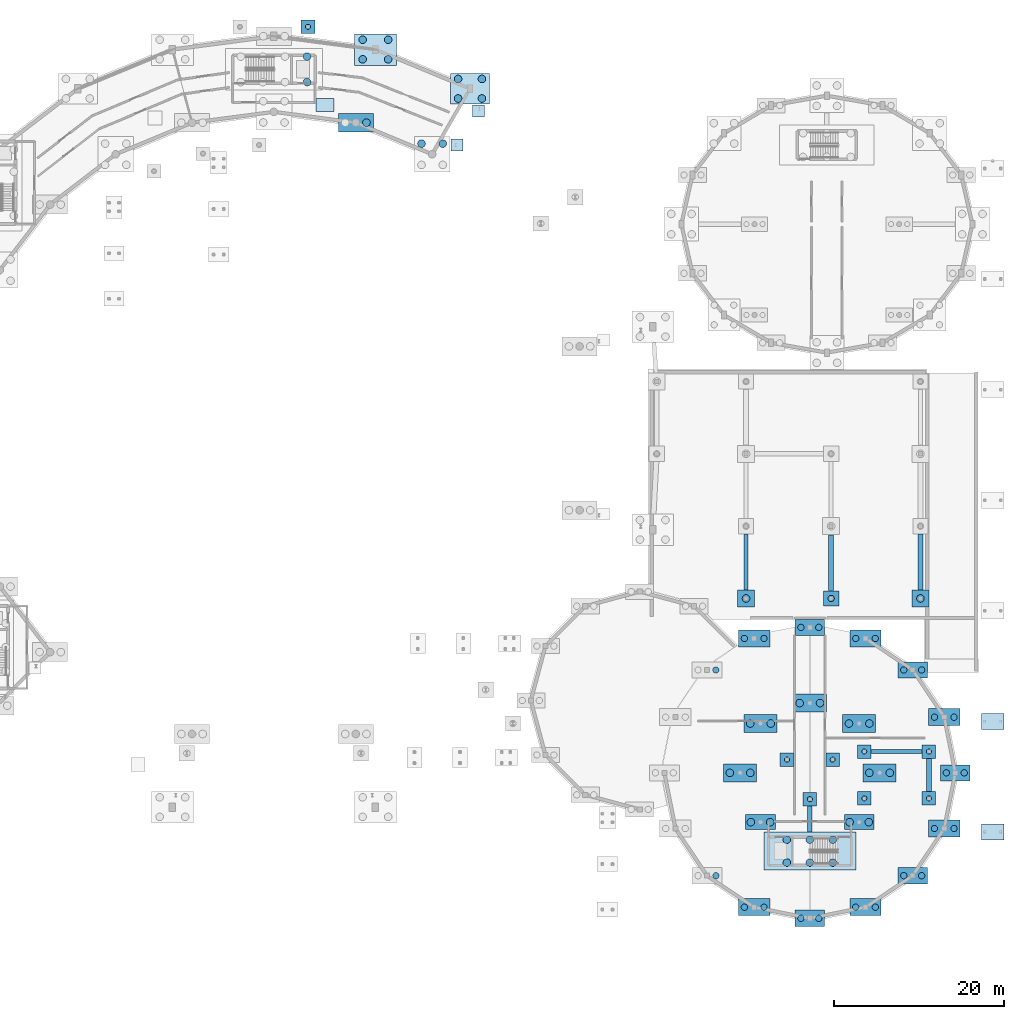
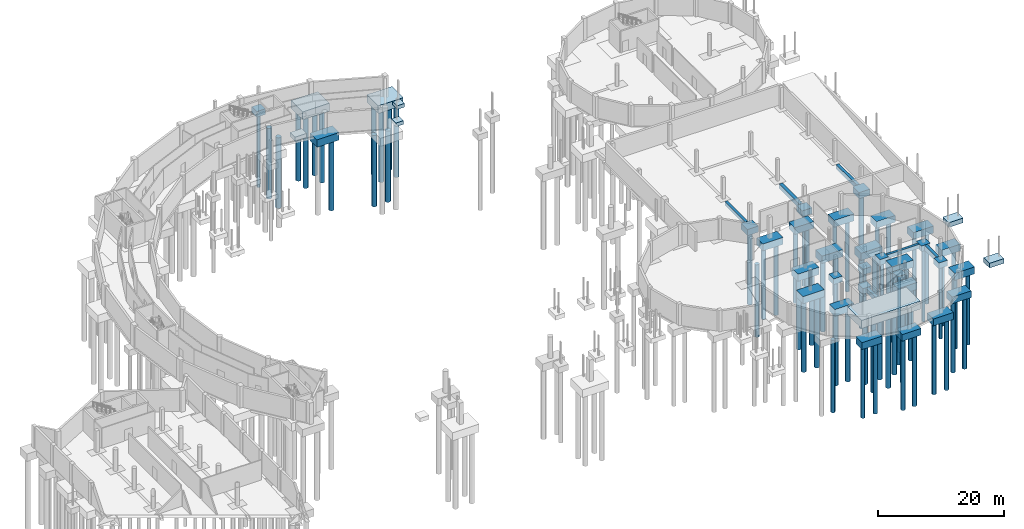
# One storey, part 4 of 43: 68 piles, 44 footings.
"""IFC4 building model written with IfcOpenShell, lengths in metres."""

from ifc_helpers import new_model, si_unit, direction, frame, origin, origin_2d, place, context, subcontext, project, spatial, rectangle, circle, extrude, material, material_profile, profile_set, type_object, element, save


model = new_model("IFC4")

# Units and contexts
model_context = context("Model", 3, precision=1e-05, world=origin(), true_north=direction((0.0, 1.0)))
body_context = subcontext(model_context, "Body", "Model", "MODEL_VIEW")
ifc_project = project(units=[si_unit("LENGTHUNIT", "METRE"), si_unit("AREAUNIT", "SQUARE_METRE"), si_unit("VOLUMEUNIT", "CUBIC_METRE"), si_unit("PLANEANGLEUNIT", "RADIAN"), si_unit("MASSUNIT", "GRAM", prefix="KILO")], contexts=[model_context])

# Site, building, storey
site_placement = place(None, origin())
site = spatial("IfcSite", under=ifc_project, at=site_placement, CompositionType="ELEMENT")
building_placement = place(site_placement, origin())
building = spatial("IfcBuilding", under=site, at=building_placement, Name="Vespera Passage Community Centre", CompositionType="ELEMENT")
storey_placement = place(building_placement, frame((0.0, 0.0, -4.199951171875)))
storey = spatial("IfcBuildingStorey", under=building, at=storey_placement, Name="B1", CompositionType="ELEMENT", Elevation=-4.199951171875)

# Footings
ifc_material_1 = material(Name="Concrete f'c 35 MPa", Category="concrete")
footing_type_1 = type_object("IfcFootingType", Name="FB-02", PredefinedType="FOOTING_BEAM", material=ifc_material_1)
footing_1_placement = place(storey_placement, frame((141.0, 19.574951171875, -0.85009765625), z_axis=(0.0, 0.0, 1.0), x_axis=(0.0, 1.0, 0.0)))
element("IfcFooting", 1, at=footing_1_placement, inside=storey, type_object=footing_type_1, Name="Void-Formed Grade Beam 2", PredefinedType="FOOTING_BEAM", context=body_context, shape_type="SweptSolid", body=[
    extrude(rectangle(XDim=3.02001953125, YDim=0.550048828125, at=origin_2d()), origin(), (0.0, 0.0, 1.0), 0.85009765625),
])
footing_2_placement = place(storey_placement, frame((154.0, 49.800048828125, -0.85009765625), z_axis=(0.0, 0.0, 1.0), x_axis=(0.0, -1.0, 0.0)))
element("IfcFooting", 2, at=footing_2_placement, inside=storey, type_object=footing_type_1, Name="Void-Formed Grade Beam 26", PredefinedType="FOOTING_BEAM", context=body_context, shape_type="SweptSolid", body=[
    extrude(rectangle(XDim=6.570068359375, YDim=0.550048828125, at=origin_2d()), origin(), (0.0, 0.0, 1.0), 0.85009765625),
])
ifc_material_2 = material(Name="Concrete f'c 35 MPa", Category="concrete")
footing_type_2 = type_object("IfcFootingType", Name="FB-03", PredefinedType="FOOTING_BEAM", material=ifc_material_2)
footing_3_placement = place(storey_placement, frame((155.0, 24.75, -0.89990234375), z_axis=(0.0, 0.0, 1.0), x_axis=(0.0, 1.0, 0.0)))
element("IfcFooting", 3, at=footing_3_placement, inside=storey, type_object=footing_type_2, Name="Void-Formed Grade Beam 15", PredefinedType="FOOTING_BEAM", context=body_context, shape_type="SweptSolid", body=[
    extrude(rectangle(XDim=3.8701171875, YDim=0.60009765625, at=origin_2d()), origin(), (0.0, 0.0, 1.0), 0.89990234375),
])
footing_4_placement = place(storey_placement, frame((143.5, 49.699951171875, -0.89990234375), z_axis=(0.0, 0.0, 1.0), x_axis=(0.0, 1.0, 0.0)))
element("IfcFooting", 4, at=footing_4_placement, inside=storey, type_object=footing_type_2, Name="Void-Formed Grade Beam 23", PredefinedType="FOOTING_BEAM", context=body_context, shape_type="SweptSolid", body=[
    extrude(rectangle(XDim=6.570068359375, YDim=0.60009765625, at=origin_2d()), origin(), (0.0, 0.0, 1.0), 0.89990234375),
])
ifc_material_3 = material(Name="Concrete f'c 35 MPa", Category="concrete")
footing_type_3 = type_object("IfcFootingType", Name="FB-04", PredefinedType="FOOTING_BEAM", material=ifc_material_3)
footing_5_placement = place(storey_placement, frame((151.199951171875, 27.5, -0.75), z_axis=(0.0, 0.0, 1.0), x_axis=(1.0, 0.0, 0.0)))
element("IfcFooting", 5, at=footing_5_placement, inside=storey, type_object=footing_type_3, Name="Void-Formed Grade Beam 16", PredefinedType="FOOTING_BEAM", context=body_context, shape_type="SweptSolid", body=[
    extrude(rectangle(XDim=5.969970703125, YDim=0.449951171875, at=origin_2d()), origin(), (0.0, 0.0, 1.0), 0.75),
])
footing_6_placement = place(storey_placement, frame((133.5, 49.800048828125, -0.75), z_axis=(0.0, 0.0, 1.0), x_axis=(0.0, -1.0, 0.0)))
element("IfcFooting", 6, at=footing_6_placement, inside=storey, type_object=footing_type_3, Name="Void-Formed Grade Beam 20", PredefinedType="FOOTING_BEAM", context=body_context, shape_type="SweptSolid", body=[
    extrude(rectangle(XDim=6.570068359375, YDim=0.449951171875, at=origin_2d()), origin(), (0.0, 0.0, 1.0), 0.75),
])

# Piles
ifc_material_4 = material(Name="Concrete f'c 45 MPa", Category="concrete")
ifc_material_profile_1 = material_profile(ifc_material_4, circle(Radius=0.300048828125, at=origin_2d()), Name="PILE600DIA")
ifc_profile_set_1 = profile_set([ifc_material_profile_1], Name="Concrete f'c 45 MPa")
pile_type_1 = type_object("IfcPileType", Name="P-600", PredefinedType="BORED", material=ifc_profile_set_1)
for number, where, z_axis, x_axis, name in (
    (7, (147.39990234375, 22.0, -1.0), (0.0, 0.0, -1.0), (1.0, 0.0, 0.0), "Column V3-CONS-1 Bored Pile 1"),
    (8, (155.0, 22.0, -1.0), (0.0, 0.0, -1.0), (1.0, 0.0, 0.0), "Column V3-CONS-2 Bored Pile 1"),
    (9, (155.0, 27.5, -1.0), (0.0, 0.0, -1.0), (1.0, 0.0, 0.0), "Column V3-CONS-3 Bored Pile 1"),
    (10, (147.39990234375, 27.5, -1.0), (0.0, 0.0, -1.0), (1.0, 0.0, 0.0), "Column V3-CONS-4 Bored Pile 1"),
    (11, (143.684814453125, 26.550048828125, -1.0), (0.0, 0.0, -1.0), (1.0, 0.0, 0.0), "Column V3-CP1 Bored Pile 1"),
    (12, (138.315185546875, 26.550048828125, -1.0), (0.0, 0.0, -1.0), (1.0, 0.0, 0.0), "Column V3-CP2 Bored Pile 1"),
    (13, (141.0, 21.89990234375, -1.0), (0.0, 0.0, -1.0), (1.0, 0.0, 0.0), "Column V3-CP3 Bored Pile 1"),
    (14, (82.0, 112.699951171875, -1.0), (0.0, 0.0, -1.0), (1.0, 0.0, 0.0), "Column NP-P03 Bored Pile 1"),
):
    element("IfcPile", number, at=place(storey_placement, frame(where, z_axis=z_axis, x_axis=x_axis)), inside=storey, type_object=pile_type_1, Name=name, PredefinedType="BORED", context=body_context, shape_type="SweptSolid", body=[
        extrude(circle(Radius=0.300048828125, at=origin_2d()), origin(), (0.0, 0.0, 1.0), 14.300048828125),
    ])
ifc_material_5 = material(Name="Concrete f'c 45 MPa", Category="concrete")
ifc_material_profile_2 = material_profile(ifc_material_5, circle(Radius=0.375, at=origin_2d()), Name="PILE750DIA")
ifc_profile_set_2 = profile_set([ifc_material_profile_2], Name="Concrete f'c 45 MPa")
pile_type_2 = type_object("IfcPileType", Name="P-750", PredefinedType="BORED", material=ifc_profile_set_2)
for number, where, z_axis, x_axis, name in (
    (15, (157.050048828125, 25.0, -1.199951171875), (0.0, 0.0, -1.0), (1.0, 0.0, 0.0), "Column V3-P01 Bored Pile 1"),
    (16, (159.14990234375, 25.0, -1.199951171875), (0.0, 0.0, -1.0), (1.0, 0.0, 0.0), "Column V3-P01 Bored Pile 2"),
):
    element("IfcPile", number, at=place(storey_placement, frame(where, z_axis=z_axis, x_axis=x_axis)), inside=storey, type_object=pile_type_2, Name=name, PredefinedType="BORED", context=body_context, shape_type="SweptSolid", body=[
        extrude(circle(Radius=0.375, at=origin_2d()), origin(), (0.0, 0.0, 1.0), 14.10009765625),
    ])
for number, where, z_axis, x_axis, name in (
    (17, (155.648193359375, 31.5439453125, -1.25), (0.0, 0.0, -1.0), (1.0, 0.0, 0.0), "Column V3-P02 Bored Pile 1"),
    (18, (157.9482421875, 31.5439453125, -1.25), (0.0, 0.0, -1.0), (1.0, 0.0, 0.0), "Column V3-P02 Bored Pile 2"),
):
    element("IfcPile", number, at=place(storey_placement, frame(where, z_axis=z_axis, x_axis=x_axis)), inside=storey, type_object=pile_type_2, Name=name, PredefinedType="BORED", context=body_context, shape_type="SweptSolid", body=[
        extrude(circle(Radius=0.375, at=origin_2d()), origin(), (0.0, 0.0, 1.0), 14.050048828125),
    ])
for number, where, z_axis, x_axis, name in (
    (19, (152.04150390625, 37.091552734375, -1.199951171875), (0.0, 0.0, -1.0), (1.0, 0.0, 0.0), "Column V3-P03 Bored Pile 1"),
    (20, (154.1416015625, 37.091552734375, -1.199951171875), (0.0, 0.0, -1.0), (1.0, 0.0, 0.0), "Column V3-P03 Bored Pile 2"),
):
    element("IfcPile", number, at=place(storey_placement, frame(where, z_axis=z_axis, x_axis=x_axis)), inside=storey, type_object=pile_type_2, Name=name, PredefinedType="BORED", context=body_context, shape_type="SweptSolid", body=[
        extrude(circle(Radius=0.375, at=origin_2d()), origin(), (0.0, 0.0, 1.0), 14.10009765625),
    ])
for number, where, z_axis, x_axis, name in (
    (21, (146.393798828125, 40.79833984375, -1.25), (0.0, 0.0, -1.0), (1.0, 0.0, 0.0), "Column V3-P04 Bored Pile 1"),
    (22, (148.69384765625, 40.79833984375, -1.25), (0.0, 0.0, -1.0), (1.0, 0.0, 0.0), "Column V3-P04 Bored Pile 2"),
):
    element("IfcPile", number, at=place(storey_placement, frame(where, z_axis=z_axis, x_axis=x_axis)), inside=storey, type_object=pile_type_2, Name=name, PredefinedType="BORED", context=body_context, shape_type="SweptSolid", body=[
        extrude(circle(Radius=0.375, at=origin_2d()), origin(), (0.0, 0.0, 1.0), 14.050048828125),
    ])
for number, where, z_axis, x_axis, name in (
    (23, (139.949951171875, 42.10009765625, -1.199951171875), (0.0, 0.0, -1.0), (1.0, 0.0, 0.0), "Column V3-P05 Bored Pile 1"),
    (24, (142.050048828125, 42.10009765625, -1.199951171875), (0.0, 0.0, -1.0), (1.0, 0.0, 0.0), "Column V3-P05 Bored Pile 2"),
):
    element("IfcPile", number, at=place(storey_placement, frame(where, z_axis=z_axis, x_axis=x_axis)), inside=storey, type_object=pile_type_2, Name=name, PredefinedType="BORED", context=body_context, shape_type="SweptSolid", body=[
        extrude(circle(Radius=0.375, at=origin_2d()), origin(), (0.0, 0.0, 1.0), 14.10009765625),
    ])
for number, where, z_axis, x_axis, name in (
    (25, (133.30615234375, 40.79833984375, -1.25), (0.0, 0.0, -1.0), (1.0, 0.0, 0.0), "Column V3-P06 Bored Pile 1"),
    (26, (135.606201171875, 40.79833984375, -1.25), (0.0, 0.0, -1.0), (1.0, 0.0, 0.0), "Column V3-P06 Bored Pile 2"),
):
    element("IfcPile", number, at=place(storey_placement, frame(where, z_axis=z_axis, x_axis=x_axis)), inside=storey, type_object=pile_type_2, Name=name, PredefinedType="BORED", context=body_context, shape_type="SweptSolid", body=[
        extrude(circle(Radius=0.375, at=origin_2d()), origin(), (0.0, 0.0, 1.0), 14.050048828125),
    ])
for number, where, z_axis, x_axis, name in (
    (27, (129.95849609375, 37.091552734375, -1.199951171875), (0.0, 0.0, -1.0), (1.0, 0.0, 0.0), "Column V3-P07 Bored Pile 2"),
    (28, (129.95849609375, 12.908447265625, -1.199951171875), (0.0, 0.0, -1.0), (1.0, 0.0, 0.0), "Column V3-P11 Bored Pile 2"),
):
    element("IfcPile", number, at=place(storey_placement, frame(where, z_axis=z_axis, x_axis=x_axis)), inside=storey, type_object=pile_type_2, Name=name, PredefinedType="BORED", context=body_context, shape_type="SweptSolid", body=[
        extrude(circle(Radius=0.375, at=origin_2d()), origin(), (0.0, 0.0, 1.0), 14.10009765625),
    ])
for number, where, z_axis, x_axis, name in (
    (29, (133.30615234375, 9.20166015625, -1.25), (0.0, 0.0, -1.0), (1.0, 0.0, 0.0), "Column V3-P12 Bored Pile 1"),
    (30, (135.606201171875, 9.20166015625, -1.25), (0.0, 0.0, -1.0), (1.0, 0.0, 0.0), "Column V3-P12 Bored Pile 2"),
):
    element("IfcPile", number, at=place(storey_placement, frame(where, z_axis=z_axis, x_axis=x_axis)), inside=storey, type_object=pile_type_2, Name=name, PredefinedType="BORED", context=body_context, shape_type="SweptSolid", body=[
        extrude(circle(Radius=0.375, at=origin_2d()), origin(), (0.0, 0.0, 1.0), 14.050048828125),
    ])
for number, where, z_axis, x_axis, name in (
    (31, (139.949951171875, 7.89990234375, -1.199951171875), (0.0, 0.0, -1.0), (1.0, 0.0, 0.0), "Column V3-P13 Bored Pile 1"),
    (32, (142.050048828125, 7.89990234375, -1.199951171875), (0.0, 0.0, -1.0), (1.0, 0.0, 0.0), "Column V3-P13 Bored Pile 2"),
):
    element("IfcPile", number, at=place(storey_placement, frame(where, z_axis=z_axis, x_axis=x_axis)), inside=storey, type_object=pile_type_2, Name=name, PredefinedType="BORED", context=body_context, shape_type="SweptSolid", body=[
        extrude(circle(Radius=0.375, at=origin_2d()), origin(), (0.0, 0.0, 1.0), 14.10009765625),
    ])
for number, where, z_axis, x_axis, name in (
    (33, (146.393798828125, 9.20166015625, -1.25), (0.0, 0.0, -1.0), (1.0, 0.0, 0.0), "Column V3-P14 Bored Pile 1"),
    (34, (148.69384765625, 9.20166015625, -1.25), (0.0, 0.0, -1.0), (1.0, 0.0, 0.0), "Column V3-P14 Bored Pile 2"),
):
    element("IfcPile", number, at=place(storey_placement, frame(where, z_axis=z_axis, x_axis=x_axis)), inside=storey, type_object=pile_type_2, Name=name, PredefinedType="BORED", context=body_context, shape_type="SweptSolid", body=[
        extrude(circle(Radius=0.375, at=origin_2d()), origin(), (0.0, 0.0, 1.0), 14.050048828125),
    ])
for number, where, z_axis, x_axis, name in (
    (35, (152.04150390625, 12.908447265625, -1.199951171875), (0.0, 0.0, -1.0), (1.0, 0.0, 0.0), "Column V3-P15 Bored Pile 1"),
    (36, (154.1416015625, 12.908447265625, -1.199951171875), (0.0, 0.0, -1.0), (1.0, 0.0, 0.0), "Column V3-P15 Bored Pile 2"),
):
    element("IfcPile", number, at=place(storey_placement, frame(where, z_axis=z_axis, x_axis=x_axis)), inside=storey, type_object=pile_type_2, Name=name, PredefinedType="BORED", context=body_context, shape_type="SweptSolid", body=[
        extrude(circle(Radius=0.375, at=origin_2d()), origin(), (0.0, 0.0, 1.0), 14.10009765625),
    ])
for number, where, z_axis, x_axis, name in (
    (37, (155.648193359375, 18.4560546875, -1.25), (0.0, 0.0, -1.0), (1.0, 0.0, 0.0), "Column V3-P16 Bored Pile 1"),
    (38, (157.9482421875, 18.4560546875, -1.25), (0.0, 0.0, -1.0), (1.0, 0.0, 0.0), "Column V3-P16 Bored Pile 2"),
):
    element("IfcPile", number, at=place(storey_placement, frame(where, z_axis=z_axis, x_axis=x_axis)), inside=storey, type_object=pile_type_2, Name=name, PredefinedType="BORED", context=body_context, shape_type="SweptSolid", body=[
        extrude(circle(Radius=0.375, at=origin_2d()), origin(), (0.0, 0.0, 1.0), 14.050048828125),
    ])
pile_1_placement = place(storey_placement, frame((143.5, 45.5, -1.050048828125), z_axis=(0.0, 0.0, -1.0), x_axis=(1.0, 0.0, 0.0)))
element("IfcPile", 39, at=pile_1_placement, inside=storey, type_object=pile_type_2, Name="Column GAR-C31 Bored Pile 1", PredefinedType="BORED", context=body_context, shape_type="SweptSolid", body=[
    extrude(circle(Radius=0.375, at=origin_2d()), origin(), (0.0, 0.0, 1.0), 14.25),
])
ifc_material_6 = material(Name="Concrete f'c 45 MPa", Category="concrete")
ifc_material_profile_3 = material_profile(ifc_material_6, circle(Radius=0.449951171875, at=origin_2d()), Name="PILE900DIA")
ifc_profile_set_3 = profile_set([ifc_material_profile_3], Name="Concrete f'c 45 MPa")
pile_type_3 = type_object("IfcPileType", Name="P-900", PredefinedType="BORED", material=ifc_profile_set_3)
for number, where, z_axis, x_axis, name in (
    (40, (81.89990234375, 106.199951171875, -1.550048828125), (0.0, 0.0, -1.0), (1.0, 0.0, 0.0), "Core C4 Bored Pile 4"),
    (41, (81.89990234375, 109.199951171875, -1.550048828125), (0.0, 0.0, -1.0), (1.0, 0.0, 0.0), "Core C4 Bored Pile 8"),
):
    element("IfcPile", number, at=place(storey_placement, frame(where, z_axis=z_axis, x_axis=x_axis)), inside=storey, type_object=pile_type_3, Name=name, PredefinedType="BORED", context=body_context, shape_type="SweptSolid", body=[
        extrude(circle(Radius=0.449951171875, at=origin_2d()), origin(), (0.0, 0.0, 1.0), 13.75),
    ])
for number, where, z_axis, x_axis, name in (
    (42, (143.699951171875, 17.14990234375, -1.449951171875), (0.0, 0.0, -1.0), (1.0, 0.0, 0.0), "Core C7 Bored Pile 1"),
    (43, (141.0, 17.14990234375, -1.449951171875), (0.0, 0.0, -1.0), (1.0, 0.0, 0.0), "Core C7 Bored Pile 2"),
    (44, (138.300048828125, 17.14990234375, -1.449951171875), (0.0, 0.0, -1.0), (1.0, 0.0, 0.0), "Core C7 Bored Pile 3"),
    (45, (143.699951171875, 14.449951171875, -1.449951171875), (0.0, 0.0, -1.0), (1.0, 0.0, 0.0), "Core C7 Bored Pile 4"),
    (46, (141.0, 14.449951171875, -1.449951171875), (0.0, 0.0, -1.0), (1.0, 0.0, 0.0), "Core C7 Bored Pile 5"),
    (47, (138.300048828125, 14.449951171875, -1.449951171875), (0.0, 0.0, -1.0), (1.0, 0.0, 0.0), "Core C7 Bored Pile 6"),
):
    element("IfcPile", number, at=place(storey_placement, frame(where, z_axis=z_axis, x_axis=x_axis)), inside=storey, type_object=pile_type_3, Name=name, PredefinedType="BORED", context=body_context, shape_type="SweptSolid", body=[
        extrude(circle(Radius=0.449951171875, at=origin_2d()), origin(), (0.0, 0.0, 1.0), 13.85009765625),
    ])
for number, where, z_axis, x_axis, name in (
    (48, (148.0, 25.0, -1.300048828125), (0.0, 0.0, -1.0), (1.0, 0.0, 0.0), "Column V3-I01 Bored Pile 1"),
    (49, (150.39990234375, 25.0, -1.300048828125), (0.0, 0.0, -1.0), (1.0, 0.0, 0.0), "Column V3-I01 Bored Pile 2"),
    (50, (145.598388671875, 30.79833984375, -1.300048828125), (0.0, 0.0, -1.0), (1.0, 0.0, 0.0), "Column V3-I02 Bored Pile 1"),
    (51, (147.998291015625, 30.79833984375, -1.300048828125), (0.0, 0.0, -1.0), (1.0, 0.0, 0.0), "Column V3-I02 Bored Pile 2"),
    (52, (139.800048828125, 33.199951171875, -1.300048828125), (0.0, 0.0, -1.0), (1.0, 0.0, 0.0), "Column V3-I03 Bored Pile 1"),
    (53, (142.199951171875, 33.199951171875, -1.300048828125), (0.0, 0.0, -1.0), (1.0, 0.0, 0.0), "Column V3-I03 Bored Pile 2"),
    (54, (134.001708984375, 30.79833984375, -1.300048828125), (0.0, 0.0, -1.0), (1.0, 0.0, 0.0), "Column V3-I04 Bored Pile 1"),
    (55, (136.401611328125, 30.79833984375, -1.300048828125), (0.0, 0.0, -1.0), (1.0, 0.0, 0.0), "Column V3-I04 Bored Pile 2"),
    (56, (131.60009765625, 25.0, -1.300048828125), (0.0, 0.0, -1.0), (1.0, 0.0, 0.0), "Column V3-I05 Bored Pile 1"),
    (57, (134.0, 25.0, -1.300048828125), (0.0, 0.0, -1.0), (1.0, 0.0, 0.0), "Column V3-I05 Bored Pile 2"),
):
    element("IfcPile", number, at=place(storey_placement, frame(where, z_axis=z_axis, x_axis=x_axis)), inside=storey, type_object=pile_type_3, Name=name, PredefinedType="BORED", context=body_context, shape_type="SweptSolid", body=[
        extrude(circle(Radius=0.449951171875, at=origin_2d()), origin(), (0.0, 0.0, 1.0), 14.0),
    ])
for number, where, z_axis, x_axis, name in (
    (58, (134.07177734375, 19.20166015625, -1.280029296875), (0.0, 0.0, -1.0), (1.0, 0.0, 0.0), "Column V3-I06 Bored Pile 1"),
    (59, (136.331787109375, 19.20166015625, -1.280029296875), (0.0, 0.0, -1.0), (1.0, 0.0, 0.0), "Column V3-I06 Bored Pile 2"),
    (60, (145.668212890625, 19.20166015625, -1.280029296875), (0.0, 0.0, -1.0), (1.0, 0.0, 0.0), "Column V3-I08 Bored Pile 1"),
    (61, (147.92822265625, 19.20166015625, -1.280029296875), (0.0, 0.0, -1.0), (1.0, 0.0, 0.0), "Column V3-I08 Bored Pile 2"),
):
    element("IfcPile", number, at=place(storey_placement, frame(where, z_axis=z_axis, x_axis=x_axis)), inside=storey, type_object=pile_type_3, Name=name, PredefinedType="BORED", context=body_context, shape_type="SweptSolid", body=[
        extrude(circle(Radius=0.449951171875, at=origin_2d()), origin(), (0.0, 0.0, 1.0), 14.02001953125),
    ])
for number, where, z_axis, x_axis, name in (
    (62, (95.35009765625, 98.966064453125, -1.449951171875), (0.0, 0.0, -1.0), (1.0, 0.0, 0.0), "Column V4-I04 Bored Pile 3"),
    (63, (97.85009765625, 98.966064453125, -1.449951171875), (0.0, 0.0, -1.0), (1.0, 0.0, 0.0), "Column V4-I04 Bored Pile 4"),
):
    element("IfcPile", number, at=place(storey_placement, frame(where, z_axis=z_axis, x_axis=x_axis)), inside=storey, type_object=pile_type_3, Name=name, PredefinedType="BORED", context=body_context, shape_type="SweptSolid", body=[
        extrude(circle(Radius=0.449951171875, at=origin_2d()), origin(), (0.0, 0.0, 1.0), 13.85009765625),
    ])
pile_2_placement = place(storey_placement, frame((88.878173828125, 101.432373046875, -1.35009765625), z_axis=(0.0, 0.0, -1.0), x_axis=(1.0, 0.0, 0.0)))
element("IfcPile", 64, at=pile_2_placement, inside=storey, type_object=pile_type_3, Name="Column V4-I05 Bored Pile 2", PredefinedType="BORED", context=body_context, shape_type="SweptSolid", body=[
    extrude(circle(Radius=0.449951171875, at=origin_2d()), origin(), (0.0, 0.0, 1.0), 13.949951171875),
])
for number, where, z_axis, x_axis, name in (
    (65, (99.64990234375, 104.273681640625, -1.400146484375), (0.0, 0.0, -1.0), (1.0, 0.0, 0.0), "Column V4-O04 Bored Pile 1"),
    (66, (102.449951171875, 104.273681640625, -1.400146484375), (0.0, 0.0, -1.0), (1.0, 0.0, 0.0), "Column V4-O04 Bored Pile 2"),
    (67, (99.64990234375, 106.57373046875, -1.400146484375), (0.0, 0.0, -1.0), (1.0, 0.0, 0.0), "Column V4-O04 Bored Pile 3"),
    (68, (102.449951171875, 106.57373046875, -1.400146484375), (0.0, 0.0, -1.0), (1.0, 0.0, 0.0), "Column V4-O04 Bored Pile 4"),
):
    element("IfcPile", number, at=place(storey_placement, frame(where, z_axis=z_axis, x_axis=x_axis)), inside=storey, type_object=pile_type_3, Name=name, PredefinedType="BORED", context=body_context, shape_type="SweptSolid", body=[
        extrude(circle(Radius=0.449951171875, at=origin_2d()), origin(), (0.0, 0.0, 1.0), 13.89990234375),
    ])
for number, where, z_axis, x_axis, name in (
    (69, (88.431640625, 108.879150390625, -1.449951171875), (0.0, 0.0, -1.0), (1.0, 0.0, 0.0), "Column V4-O05 Bored Pile 1"),
    (70, (91.431640625, 108.879150390625, -1.449951171875), (0.0, 0.0, -1.0), (1.0, 0.0, 0.0), "Column V4-O05 Bored Pile 2"),
    (71, (88.431640625, 111.17919921875, -1.449951171875), (0.0, 0.0, -1.0), (1.0, 0.0, 0.0), "Column V4-O05 Bored Pile 3"),
    (72, (91.431640625, 111.17919921875, -1.449951171875), (0.0, 0.0, -1.0), (1.0, 0.0, 0.0), "Column V4-O05 Bored Pile 4"),
):
    element("IfcPile", number, at=place(storey_placement, frame(where, z_axis=z_axis, x_axis=x_axis)), inside=storey, type_object=pile_type_3, Name=name, PredefinedType="BORED", context=body_context, shape_type="SweptSolid", body=[
        extrude(circle(Radius=0.449951171875, at=origin_2d()), origin(), (0.0, 0.0, 1.0), 13.85009765625),
    ])
for number, where, z_axis, x_axis, name in (
    (73, (133.5, 45.5, -1.10009765625), (0.0, 0.0, -1.0), (1.0, 0.0, 0.0), "Column GAR-C21 Bored Pile 1"),
    (74, (154.0, 45.5, -1.10009765625), (0.0, 0.0, -1.0), (1.0, 0.0, 0.0), "Column GAR-C41 Bored Pile 1"),
):
    element("IfcPile", number, at=place(storey_placement, frame(where, z_axis=z_axis, x_axis=x_axis)), inside=storey, type_object=pile_type_3, Name=name, PredefinedType="BORED", context=body_context, shape_type="SweptSolid", body=[
        extrude(circle(Radius=0.449951171875, at=origin_2d()), origin(), (0.0, 0.0, 1.0), 14.199951171875),
    ])

# Footings
ifc_material_7 = material(Name="Concrete f'c 35 MPa", Category="concrete")
footing_type_4 = type_object("IfcFootingType", Name="PC-01", PredefinedType="PILE_CAP", material=ifc_material_7)
for number, where, z_axis, x_axis, name in (
    (75, (147.39990234375, 22.0, -1.10009765625), (0.0, 0.0, 1.0), (1.0, 0.0, 0.0), "Column V3-CONS-1 Pile Cap"),
    (76, (155.0, 22.0, -1.10009765625), (0.0, 0.0, 1.0), (1.0, 0.0, 0.0), "Column V3-CONS-2 Pile Cap"),
    (77, (155.0, 27.5, -1.10009765625), (0.0, 0.0, 1.0), (1.0, 0.0, 0.0), "Column V3-CONS-3 Pile Cap"),
    (78, (147.39990234375, 27.5, -1.10009765625), (0.0, 0.0, 1.0), (1.0, 0.0, 0.0), "Column V3-CONS-4 Pile Cap"),
    (79, (143.684814453125, 26.550048828125, -1.10009765625), (0.0, 0.0, 1.0), (1.0, 0.0, 0.0), "Column V3-CP1 Pile Cap"),
    (80, (138.315185546875, 26.550048828125, -1.10009765625), (0.0, 0.0, 1.0), (1.0, 0.0, 0.0), "Column V3-CP2 Pile Cap"),
    (81, (141.0, 21.89990234375, -1.10009765625), (0.0, 0.0, 1.0), (1.0, 0.0, 0.0), "Column V3-CP3 Pile Cap"),
    (82, (82.0, 112.699951171875, -1.10009765625), (0.0, 0.0, 1.0), (1.0, 0.0, 0.0), "Column NP-P03 Pile Cap"),
):
    element("IfcFooting", number, at=place(storey_placement, frame(where, z_axis=z_axis, x_axis=x_axis)), inside=storey, type_object=footing_type_4, Name=name, PredefinedType="PILE_CAP", context=body_context, shape_type="SweptSolid", body=[
        extrude(rectangle(XDim=1.60009765625, YDim=1.60009765625, at=origin_2d()), origin(), (0.0, 0.0, 1.0), 1.10009765625),
    ])
ifc_material_8 = material(Name="Concrete f'c 35 MPa", Category="concrete")
footing_type_5 = type_object("IfcFootingType", Name="PC-02", PredefinedType="PILE_CAP", material=ifc_material_8)
footing_7_placement = place(storey_placement, frame((143.5, 45.5, -1.14990234375), z_axis=(0.0, 0.0, 1.0), x_axis=(1.0, 0.0, 0.0)))
element("IfcFooting", 83, at=footing_7_placement, inside=storey, type_object=footing_type_5, Name="Column GAR-C31 Pile Cap", PredefinedType="PILE_CAP", context=body_context, shape_type="SweptSolid", body=[
    extrude(rectangle(XDim=1.800048828125, YDim=1.800048828125, at=origin_2d()), origin(), (0.0, 0.0, 1.0), 1.14990234375),
])
ifc_material_9 = material(Name="Concrete f'c 35 MPa", Category="concrete")
footing_type_6 = type_object("IfcFootingType", Name="PC-03", PredefinedType="PILE_CAP", material=ifc_material_9)
for number, where, z_axis, x_axis, name in (
    (84, (133.5, 45.5, -1.2001953125), (0.0, 0.0, 1.0), (1.0, 0.0, 0.0), "Column GAR-C21 Pile Cap"),
    (85, (154.0, 45.5, -1.2001953125), (0.0, 0.0, 1.0), (1.0, 0.0, 0.0), "Column GAR-C41 Pile Cap"),
):
    element("IfcFooting", number, at=place(storey_placement, frame(where, z_axis=z_axis, x_axis=x_axis)), inside=storey, type_object=footing_type_6, Name=name, PredefinedType="PILE_CAP", context=body_context, shape_type="SweptSolid", body=[
        extrude(rectangle(XDim=2.0, YDim=2.0, at=origin_2d()), origin(), (0.0, 0.0, 1.0), 1.199951171875),
    ])
ifc_material_10 = material(Name="Concrete f'c 35 MPa", Category="concrete")
footing_type_7 = type_object("IfcFootingType", Name="PC-07", PredefinedType="PILE_CAP", material=ifc_material_10)
for number, where, z_axis, x_axis, name in (
    (86, (158.10009765625, 25.0, -1.30029296875), (0.0, 0.0, 1.0), (1.0, 0.0, 0.0), "Column V3-P01 Pile Cap"),
    (87, (153.091552734375, 37.091552734375, -1.30029296875), (0.0, 0.0, 1.0), (1.0, 0.0, 0.0), "Column V3-P03 Pile Cap"),
    (88, (141.0, 42.10009765625, -1.30029296875), (0.0, 0.0, 1.0), (1.0, 0.0, 0.0), "Column V3-P05 Pile Cap"),
    (89, (141.0, 7.89990234375, -1.30029296875), (0.0, 0.0, 1.0), (1.0, 0.0, 0.0), "Column V3-P13 Pile Cap"),
    (90, (153.091552734375, 12.908447265625, -1.30029296875), (0.0, 0.0, 1.0), (1.0, 0.0, 0.0), "Column V3-P15 Pile Cap"),
):
    element("IfcFooting", number, at=place(storey_placement, frame(where, z_axis=z_axis, x_axis=x_axis)), inside=storey, type_object=footing_type_7, Name=name, PredefinedType="PILE_CAP", context=body_context, shape_type="SweptSolid", body=[
        extrude(rectangle(XDim=3.5, YDim=1.89990234375, at=origin_2d()), origin(), (0.0, 0.0, 1.0), 1.300048828125),
    ])
ifc_material_11 = material(Name="Concrete f'c 35 MPa", Category="concrete")
footing_type_8 = type_object("IfcFootingType", Name="PC-08", PredefinedType="PILE_CAP", material=ifc_material_11)
for number, where, z_axis, x_axis, name in (
    (91, (156.79833984375, 31.5439453125, -1.35009765625), (0.0, 0.0, 1.0), (1.0, 0.0, 0.0), "Column V3-P02 Pile Cap"),
    (92, (147.5439453125, 40.79833984375, -1.35009765625), (0.0, 0.0, 1.0), (1.0, 0.0, 0.0), "Column V3-P04 Pile Cap"),
    (93, (134.4560546875, 40.79833984375, -1.35009765625), (0.0, 0.0, 1.0), (1.0, 0.0, 0.0), "Column V3-P06 Pile Cap"),
    (94, (134.4560546875, 9.20166015625, -1.35009765625), (0.0, 0.0, 1.0), (1.0, 0.0, 0.0), "Column V3-P12 Pile Cap"),
    (95, (147.5439453125, 9.20166015625, -1.35009765625), (0.0, 0.0, 1.0), (1.0, 0.0, 0.0), "Column V3-P14 Pile Cap"),
    (96, (156.79833984375, 18.4560546875, -1.35009765625), (0.0, 0.0, 1.0), (1.0, 0.0, 0.0), "Column V3-P16 Pile Cap"),
):
    element("IfcFooting", number, at=place(storey_placement, frame(where, z_axis=z_axis, x_axis=x_axis)), inside=storey, type_object=footing_type_8, Name=name, PredefinedType="PILE_CAP", context=body_context, shape_type="SweptSolid", body=[
        extrude(rectangle(XDim=3.699951171875, YDim=2.0, at=origin_2d()), origin(), (0.0, 0.0, 1.0), 1.35009765625),
    ])
ifc_material_12 = material(Name="Concrete f'c 35 MPa", Category="concrete")
footing_type_9 = type_object("IfcFootingType", Name="PC-09", PredefinedType="PILE_CAP", material=ifc_material_12)
for number, where, z_axis, x_axis, name in (
    (97, (149.199951171875, 25.0, -1.39990234375), (0.0, 0.0, 1.0), (1.0, 0.0, 0.0), "Column V3-I01 Pile Cap"),
    (98, (146.79833984375, 30.79833984375, -1.39990234375), (0.0, 0.0, 1.0), (1.0, 0.0, 0.0), "Column V3-I02 Pile Cap"),
    (99, (141.0, 33.199951171875, -1.39990234375), (0.0, 0.0, 1.0), (1.0, 0.0, 0.0), "Column V3-I03 Pile Cap"),
    (100, (135.20166015625, 30.79833984375, -1.39990234375), (0.0, 0.0, 1.0), (1.0, 0.0, 0.0), "Column V3-I04 Pile Cap"),
    (101, (132.800048828125, 25.0, -1.39990234375), (0.0, 0.0, 1.0), (1.0, 0.0, 0.0), "Column V3-I05 Pile Cap"),
):
    element("IfcFooting", number, at=place(storey_placement, frame(where, z_axis=z_axis, x_axis=x_axis)), inside=storey, type_object=footing_type_9, Name=name, PredefinedType="PILE_CAP", context=body_context, shape_type="SweptSolid", body=[
        extrude(rectangle(XDim=3.89990234375, YDim=2.10009765625, at=origin_2d()), origin(), (0.0, 0.0, 1.0), 1.39990234375),
    ])
ifc_material_13 = material(Name="Concrete f'c 35 MPa", Category="concrete")
footing_type_10 = type_object("IfcFootingType", Name="PC-10", PredefinedType="PILE_CAP", material=ifc_material_13)
footing_8_placement = place(storey_placement, frame((87.628173828125, 101.432373046875, -1.4501953125), z_axis=(0.0, 0.0, 1.0), x_axis=(1.0, 0.0, 0.0)))
element("IfcFooting", 102, at=footing_8_placement, inside=storey, type_object=footing_type_10, Name="Column V4-I05 Pile Cap", PredefinedType="PILE_CAP", context=body_context, shape_type="SweptSolid", body=[
    extrude(rectangle(XDim=4.10009765625, YDim=2.199951171875, at=origin_2d()), origin(), (0.0, 0.0, 1.0), 1.449951171875),
])
ifc_material_14 = material(Name="Concrete f'c 35 MPa", Category="concrete")
footing_type_11 = type_object("IfcFootingType", Name="PC-18", PredefinedType="PILE_CAP", material=ifc_material_14)
footing_9_placement = place(storey_placement, frame((101.050048828125, 105.423828125, -1.5), z_axis=(0.0, 0.0, 1.0), x_axis=(1.0, 0.0, 0.0)))
element("IfcFooting", 103, at=footing_9_placement, inside=storey, type_object=footing_type_11, Name="Column V4-O04 Pile Cap", PredefinedType="PILE_CAP", context=body_context, shape_type="SweptSolid", body=[
    extrude(rectangle(XDim=4.60009765625, YDim=3.60009765625, at=origin_2d()), origin(), (0.0, 0.0, 1.0), 1.5),
])
ifc_material_15 = material(Name="Concrete f'c 35 MPa", Category="concrete")
footing_type_12 = type_object("IfcFootingType", Name="PC-19", PredefinedType="PILE_CAP", material=ifc_material_15)
footing_10_placement = place(storey_placement, frame((89.931640625, 110.029296875, -1.55029296875), z_axis=(0.0, 0.0, 1.0), x_axis=(1.0, 0.0, 0.0)))
element("IfcFooting", 104, at=footing_10_placement, inside=storey, type_object=footing_type_12, Name="Column V4-O05 Pile Cap", PredefinedType="PILE_CAP", context=body_context, shape_type="SweptSolid", body=[
    extrude(rectangle(XDim=4.89990234375, YDim=3.699951171875, at=origin_2d()), origin(), (0.0, 0.0, 1.0), 1.550048828125),
])
ifc_material_16 = material(Name="Concrete f'c 35 MPa", Category="concrete")
footing_type_13 = type_object("IfcFootingType", Name="PC-22", PredefinedType="PILE_CAP", material=ifc_material_16)
footing_11_placement = place(storey_placement, frame((141.0, 15.800048828125, -1.55029296875), z_axis=(0.0, 0.0, 1.0), x_axis=(-1.0, 0.0, 0.0)))
element("IfcFooting", 105, at=footing_11_placement, inside=storey, type_object=footing_type_13, Name="Core C7 Pile Cap", PredefinedType="PILE_CAP", context=body_context, shape_type="SweptSolid", body=[
    extrude(rectangle(XDim=10.800048828125, YDim=4.5, at=origin_2d()), origin(), (0.0, 0.0, 1.0), 1.550048828125),
])
ifc_material_17 = material(Name="Concrete f'c 35 MPa", Category="concrete")
footing_type_14 = type_object("IfcFootingType", Name="PC-25", PredefinedType="PILE_CAP", material=ifc_material_17)
for number, where, z_axis, x_axis, name in (
    (106, (135.20166015625, 19.20166015625, -1.3798828125), (0.0, 0.0, 1.0), (1.0, 0.0, 0.0), "Column V3-I06 Pile Cap"),
    (107, (146.79833984375, 19.20166015625, -1.3798828125), (0.0, 0.0, 1.0), (1.0, 0.0, 0.0), "Column V3-I08 Pile Cap"),
):
    element("IfcFooting", number, at=place(storey_placement, frame(where, z_axis=z_axis, x_axis=x_axis)), inside=storey, type_object=footing_type_14, Name=name, PredefinedType="PILE_CAP", context=body_context, shape_type="SweptSolid", body=[
        extrude(rectangle(XDim=3.47998046875, YDim=1.760009765625, at=origin_2d()), origin(), (0.0, 0.0, 1.0), 1.3798828125),
    ])
ifc_material_18 = material(Name="Concrete f'c 35 MPa", Category="concrete")
footing_type_15 = type_object("IfcFootingType", Name="PF-01", PredefinedType="PAD_FOOTING", material=ifc_material_18)
for number, where, z_axis, x_axis, name in (
    (108, (99.506591796875, 98.78173828125, -0.7001953125), (0.0, 0.0, 1.0), (1.0, 0.0, 0.0), "Column TRANC-I038 Pad Footing"),
    (109, (102.054443359375, 102.822509765625, -0.7001953125), (0.0, 0.0, 1.0), (1.0, 0.0, 0.0), "Column TRANC-O038 Pad Footing"),
):
    element("IfcFooting", number, at=place(storey_placement, frame(where, z_axis=z_axis, x_axis=x_axis)), inside=storey, type_object=footing_type_15, Name=name, PredefinedType="PAD_FOOTING", context=body_context, shape_type="SweptSolid", body=[
        extrude(rectangle(XDim=1.39990234375, YDim=1.39990234375, at=origin_2d()), origin(), (0.0, 0.0, 1.0), 0.699951171875),
    ])
ifc_material_19 = material(Name="Concrete f'c 35 MPa", Category="concrete")
footing_type_16 = type_object("IfcFootingType", Name="PF-04", PredefinedType="PAD_FOOTING", material=ifc_material_19)
footing_12_placement = place(storey_placement, frame((84.0, 103.5, -0.80029296875), z_axis=(0.0, 0.0, 1.0), x_axis=(1.0, 0.0, 0.0)))
element("IfcFooting", 110, at=footing_12_placement, inside=storey, type_object=footing_type_16, Name="B1 Equipment Pad Footing 2", PredefinedType="PAD_FOOTING", context=body_context, shape_type="SweptSolid", body=[
    extrude(rectangle(XDim=2.14990234375, YDim=1.550048828125, at=origin_2d()), origin(), (0.0, 0.0, 1.0), 0.800048828125),
])
ifc_material_20 = material(Name="Concrete f'c 35 MPa", Category="concrete")
footing_type_17 = type_object("IfcFootingType", Name="PF-06", PredefinedType="PAD_FOOTING", material=ifc_material_20)
for number, where, z_axis, x_axis, name in (
    (111, (162.5, 18.050048828125, -0.89990234375), (0.0, 0.0, 1.0), (1.0, 0.0, 0.0), "Garden Bridge Pier 1 Combined Pad Footing"),
    (112, (162.5, 31.050048828125, -0.89990234375), (0.0, 0.0, 1.0), (1.0, 0.0, 0.0), "Garden Bridge Pier 2 Combined Pad Footing"),
):
    element("IfcFooting", number, at=place(storey_placement, frame(where, z_axis=z_axis, x_axis=x_axis)), inside=storey, type_object=footing_type_17, Name=name, PredefinedType="PAD_FOOTING", context=body_context, shape_type="SweptSolid", body=[
        extrude(rectangle(XDim=2.64990234375, YDim=1.89990234375, at=origin_2d()), origin(), (0.0, 0.0, 1.0), 0.89990234375),
    ])

save(model, "model.ifc")
